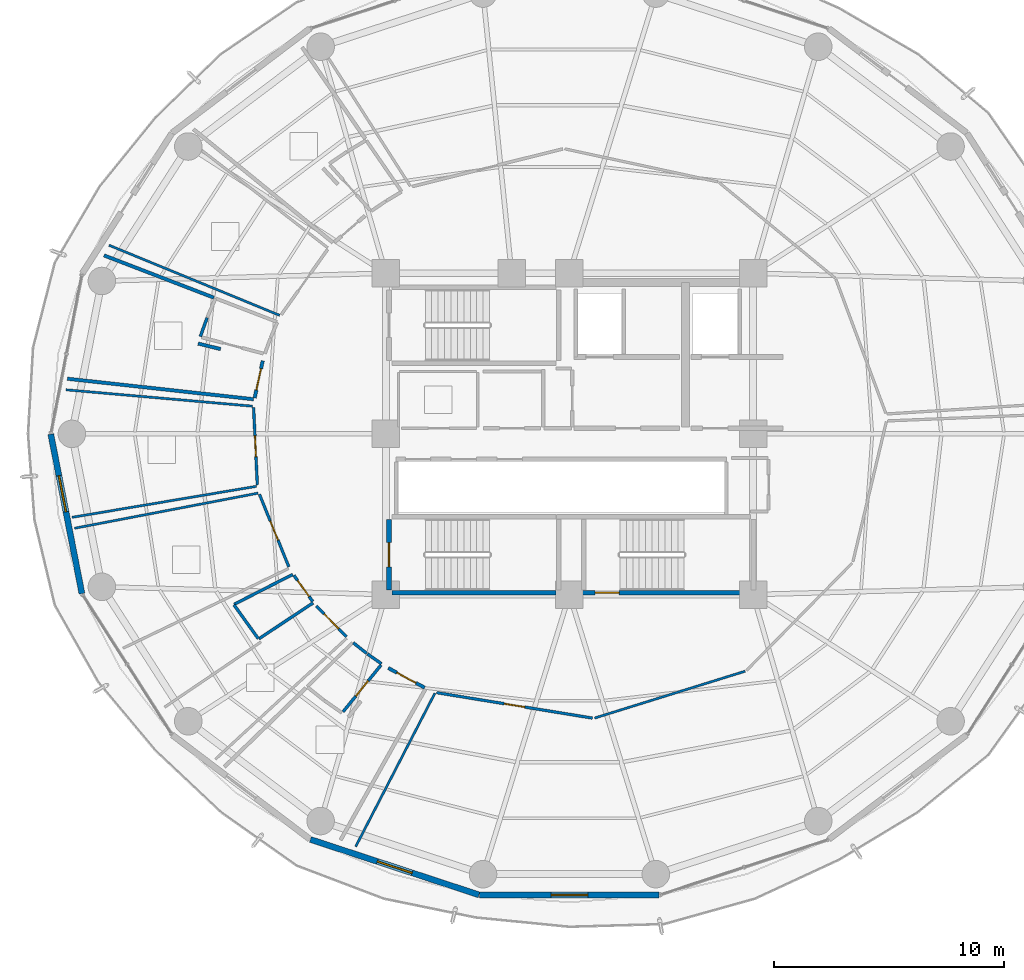
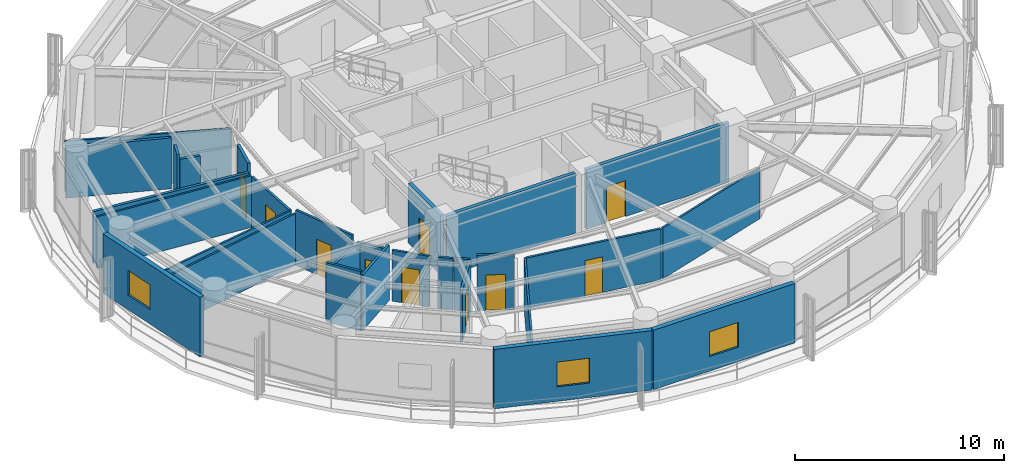
# One storey, part 21 of 27: 29 walls, 10 doors, 3 windows, 13 openings.
"""IFC4 building model written with IfcOpenShell, lengths in metres."""

from ifc_helpers import new_model, si_unit, direction, frame, frame_2d, origin, place, context, subcontext, project, spatial, rectangle, extrude, material, layer, layer_set, type_object, element, fill, save


model = new_model("IFC4")

# Units and contexts
model_context = context("Model", 3, precision=1e-05, world=origin(), true_north=direction((0.0, 1.0)))
body_context = subcontext(model_context, "Body", "Model", "MODEL_VIEW")
ifc_project = project(units=[si_unit("LENGTHUNIT", "METRE"), si_unit("AREAUNIT", "SQUARE_METRE"), si_unit("VOLUMEUNIT", "CUBIC_METRE"), si_unit("PLANEANGLEUNIT", "RADIAN"), si_unit("MASSUNIT", "GRAM", prefix="KILO")], contexts=[model_context])

# Site, building, storey
site_placement = place(None, origin())
site = spatial("IfcSite", under=ifc_project, at=site_placement, CompositionType="ELEMENT")
building_placement = place(site_placement, origin())
building = spatial("IfcBuilding", under=site, at=building_placement, Name="Kelanora Arch Commons", CompositionType="ELEMENT")
storey_placement = place(building_placement, frame((0.0, 0.0, 165.60009765625)))
storey = spatial("IfcBuildingStorey", under=building, at=storey_placement, Name="L42", CompositionType="ELEMENT", Elevation=165.60009765625)

# Wall, opening, door
ifc_material_1 = material(Name="Autoclaved aerated concrete blockwork with fire plaster", Category="masonry")
ifc_layer_1 = layer(ifc_material_1, 0.14990234375)
ifc_layer_set_1 = layer_set([ifc_layer_1], Name="Autoclaved aerated concrete blockwork with fire plaster")
wall_type_1 = type_object("IfcWallType", Name="W-COMP-150", PredefinedType="PARTITIONING", material=ifc_layer_set_1)
wall_1_placement = place(storey_placement, frame((60.63623046875, 61.186279296875, 0.0), z_axis=(0.0, 0.0, 1.0), x_axis=(-0.211879832264, -0.977295726318, 0.0)))
wall_1 = element("IfcWall", 1, at=wall_1_placement, inside=storey, type_object=wall_type_1, Name="Cluster Bedroom L42-03 Entry Partition", PredefinedType="PARTITIONING", context=body_context, shape_type="SweptSolid", body=[
    extrude(rectangle(XDim=1.6591796875, YDim=0.14990234375, at=frame_2d((0.82958984375, 0.0))), origin(), (0.0, 0.0, 1.0), 3.47998046875),
])
opening_1_placement = place(wall_1_placement, frame((0.35498046875, 0.0, 0.0)))
opening_1 = element("IfcOpeningElement", 2, at=opening_1_placement, cuts=wall_1, Name="Opening D-CLU1", PredefinedType="OPENING", context=body_context, shape_type="SweptSolid", body=[
    extrude(rectangle(XDim=0.949951171875, YDim=2.080078125, at=frame_2d((0.47509765625, 1.0400390625))), frame((0.0, 0.0849609375, 0.0), z_axis=(0.0, -1.0, 0.0), x_axis=(1.0, 0.0, 0.0)), (0.0, 0.0, 1.0), 0.169921875),
])
ifc_material_2 = material(Name="Solid-core acoustic timber cluster entry fire door", Category="wood")
door_type_1 = type_object("IfcDoorType", Name="D-CLU-95", OperationType="NOTDEFINED", PredefinedType="DOOR", material=ifc_material_2)
door_1_placement = place(opening_1_placement, origin())
door_1 = element("IfcDoor", 3, at=door_1_placement, inside=storey, type_object=door_type_1, Name="Cluster Bedroom L42-03 Door", OperationType="SINGLE_SWING_RIGHT", OverallHeight=2.080078125, OverallWidth=0.949951171875, PredefinedType="DOOR", context=body_context, shape_type="SweptSolid", body=[
    extrude(rectangle(XDim=0.949951171875, YDim=2.080078125, at=frame_2d((0.47509765625, 1.0400390625))), frame((0.0, 0.02490234375, 0.0), z_axis=(0.0, -1.0, 0.0), x_axis=(1.0, 0.0, 0.0)), (0.0, 0.0, 1.0), 0.050048828125),
])
fill(opening_1, door_1)

wall_2_placement = place(storey_placement, frame((66.105712890625, 47.798583984375, 0.0), z_axis=(0.0, 0.0, 1.0), x_axis=(0.880052757217, -0.474875925389, 0.0)))
wall_2 = element("IfcWall", 4, at=wall_2_placement, inside=storey, type_object=wall_type_1, Name="Cluster Bedroom L42-07 Entry Partition", PredefinedType="PARTITIONING", context=body_context, shape_type="SweptSolid", body=[
    extrude(rectangle(XDim=1.800537109375, YDim=0.14990234375, at=frame_2d((0.900390625, 0.0))), origin(), (0.0, 0.0, 1.0), 3.23486328125),
])
opening_2_placement = place(wall_2_placement, frame((0.425048828125, 0.0, 0.0)))
opening_2 = element("IfcOpeningElement", 5, at=opening_2_placement, cuts=wall_2, Name="Opening D-CLU1", PredefinedType="OPENING", context=body_context, shape_type="SweptSolid", body=[
    extrude(rectangle(XDim=0.949951171875, YDim=2.080078125, at=frame_2d((0.47509765625, 1.0400390625))), frame((0.0, 0.0849609375, 0.0), z_axis=(0.0, -1.0, 0.0), x_axis=(1.0, 0.0, 0.0)), (0.0, 0.0, 1.0), 0.169921875),
])
door_2_placement = place(opening_2_placement, origin())
door_2 = element("IfcDoor", 6, at=door_2_placement, inside=storey, type_object=door_type_1, Name="Cluster Bedroom L42-07 Door", OperationType="SINGLE_SWING_RIGHT", OverallHeight=2.080078125, OverallWidth=0.949951171875, PredefinedType="DOOR", context=body_context, shape_type="SweptSolid", body=[
    extrude(rectangle(XDim=0.949951171875, YDim=2.080078125, at=frame_2d((0.47509765625, 1.0400390625))), frame((0.0, 0.02490234375, 0.0), z_axis=(0.0, -1.0, 0.0), x_axis=(1.0, 0.0, 0.0)), (0.0, 0.0, 1.0), 0.050048828125),
])
fill(opening_2, door_2)

# Walls
wall_3_placement = place(storey_placement, frame((60.232177734375, 59.510498046875, 0.0), z_axis=(0.0, 0.0, 1.0), x_axis=(-0.993990557846, 0.109465843587, 0.0)))
element("IfcWall", 7, at=wall_3_placement, inside=storey, type_object=wall_type_1, Name="Cluster Bedroom L42-03 Enclosure Partition 2", PredefinedType="PARTITIONING", context=body_context, shape_type="SweptSolid", body=[
    extrude(rectangle(XDim=8.158447265625, YDim=0.14990234375, at=frame_2d((4.0791015625, 0.0))), origin(), (0.0, 0.0, 1.0), 3.02490234375),
])
wall_4_placement = place(storey_placement, frame((53.723388671875, 65.776611328125, 0.0), z_axis=(0.0, 0.0, 1.0), x_axis=(0.933303856141, -0.359087610636, 0.0)))
element("IfcWall", 8, at=wall_4_placement, inside=storey, type_object=wall_type_1, Name="Cluster Bedroom L42-03 Enclosure Partition 5", PredefinedType="PARTITIONING", context=body_context, shape_type="SweptSolid", body=[
    extrude(rectangle(XDim=5.125, YDim=0.14990234375, at=frame_2d((2.5625, 0.0))), origin(), (0.0, 0.0, 1.0), 2.974853515625),
])
wall_5_placement = place(storey_placement, frame((57.82080078125, 61.935546875, 0.0), z_axis=(0.0, 0.0, 1.0), x_axis=(0.971451046406, -0.237240098712, 0.0)))
element("IfcWall", 9, at=wall_5_placement, inside=storey, type_object=wall_type_1, Name="Cluster Bedroom L42-03 Enclosure Partition 7", PredefinedType="PARTITIONING", context=body_context, shape_type="SweptSolid", body=[
    extrude(rectangle(XDim=1.009521484375, YDim=0.14990234375, at=frame_2d((0.5048828125, 0.0))), origin(), (0.0, 0.0, 1.0), 3.1748046875),
])

# Wall, opening, window
ifc_material_3 = material(Name="Precast concrete C40/50 with terracotta rainscreen", Category="masonry")
ifc_layer_2 = layer(ifc_material_3, 0.260009765625)
ifc_layer_set_2 = layer_set([ifc_layer_2], Name="Precast concrete C40/50 with terracotta rainscreen")
wall_type_2 = type_object("IfcWallType", Name="W-EXT-TC", PredefinedType="SOLIDWALL", material=ifc_layer_set_2)
wall_6_placement = place(storey_placement, frame((51.40283203125, 57.9853515625, 0.0), z_axis=(0.0, 0.0, 1.0), x_axis=(0.191716984769, -0.981450252306, 0.0)))
wall_6 = element("IfcWall", 10, at=wall_6_placement, inside=storey, type_object=wall_type_2, Name="Terracotta Exterior Wall L42-B09", PredefinedType="SOLIDWALL", context=body_context, shape_type="SweptSolid", body=[
    extrude(rectangle(XDim=7.0791015625, YDim=0.260009765625, at=frame_2d((3.53955078125, 0.0))), origin(), (0.0, 0.0, 1.0), 3.474853515625),
])
opening_3_placement = place(wall_6_placement, frame((1.840087890625, 0.0, 0.85009765625)))
opening_3 = element("IfcOpeningElement", 11, at=opening_3_placement, cuts=wall_6, Name="Opening WN-01", PredefinedType="OPENING", context=body_context, shape_type="SweptSolid", body=[
    extrude(rectangle(XDim=1.60009765625, YDim=1.449951171875, at=frame_2d((0.800048828125, 0.72509765625))), frame((0.0, 0.14013671875, 0.0), z_axis=(0.0, -1.0, 0.0), x_axis=(1.0, 0.0, 0.0)), (0.0, 0.0, 1.0), 0.280029296875),
])
ifc_material_4 = material(Name="Terracotta-anodised aluminium frame with operable low-E glazing", Category="masonry")
window_type = type_object("IfcWindowType", Name="WIN-CL-18", PartitioningType="DOUBLE_PANEL_VERTICAL", PredefinedType="WINDOW", material=ifc_material_4)
window_1_placement = place(opening_3_placement, origin())
window_1 = element("IfcWindow", 12, at=window_1_placement, inside=storey, type_object=window_type, Name="Co-Living Operable Window L42-B09", OverallHeight=1.449951171875, OverallWidth=1.60009765625, PartitioningType="SINGLE_PANEL", PredefinedType="WINDOW", context=body_context, shape_type="SweptSolid", body=[
    extrude(rectangle(XDim=1.60009765625, YDim=1.449951171875, at=frame_2d((0.800048828125, 0.72509765625))), frame((0.0, 0.030029296875, 0.0), z_axis=(0.0, -1.0, 0.0), x_axis=(1.0, 0.0, 0.0)), (0.0, 0.0, 1.0), 0.06005859375),
])
fill(opening_3, window_1)

wall_7_placement = place(storey_placement, frame((62.71435546875, 40.328369140625, 0.0), z_axis=(0.0, 0.0, 1.0), x_axis=(0.950038302428, -0.312133343173, 0.0)))
wall_7 = element("IfcWall", 13, at=wall_7_placement, inside=storey, type_object=wall_type_2, Name="Terracotta Exterior Wall L42-B12", PredefinedType="SOLIDWALL", context=body_context, shape_type="SweptSolid", body=[
    extrude(rectangle(XDim=7.7333984375, YDim=0.260009765625, at=frame_2d((3.86669921875, 0.0))), origin(), (0.0, 0.0, 1.0), 3.474853515625),
])
opening_4_placement = place(wall_7_placement, frame((3.06689453125, 0.0, 0.85009765625)))
opening_4 = element("IfcOpeningElement", 14, at=opening_4_placement, cuts=wall_7, Name="Opening WN-01", PredefinedType="OPENING", context=body_context, shape_type="SweptSolid", body=[
    extrude(rectangle(XDim=1.60009765625, YDim=1.449951171875, at=frame_2d((0.800048828125, 0.72509765625))), frame((0.0, 0.14013671875, 0.0), z_axis=(0.0, -1.0, 0.0), x_axis=(1.0, 0.0, 0.0)), (0.0, 0.0, 1.0), 0.280029296875),
])
window_2_placement = place(opening_4_placement, origin())
window_2 = element("IfcWindow", 15, at=window_2_placement, inside=storey, type_object=window_type, Name="Co-Living Operable Window L42-B12", OverallHeight=1.449951171875, OverallWidth=1.60009765625, PartitioningType="SINGLE_PANEL", PredefinedType="WINDOW", context=body_context, shape_type="SweptSolid", body=[
    extrude(rectangle(XDim=1.60009765625, YDim=1.449951171875, at=frame_2d((0.800048828125, 0.72509765625))), frame((0.0, 0.030029296875, 0.0), z_axis=(0.0, -1.0, 0.0), x_axis=(1.0, 0.0, 0.0)), (0.0, 0.0, 1.0), 0.06005859375),
])
fill(opening_4, window_2)

wall_8_placement = place(storey_placement, frame((70.090576171875, 37.909912109375, 0.0), z_axis=(0.0, 0.0, 1.0), x_axis=(1.0, 0.0, 0.0)))
wall_8 = element("IfcWall", 16, at=wall_8_placement, inside=storey, type_object=wall_type_2, Name="Terracotta Exterior Wall L42-B13", PredefinedType="SOLIDWALL", context=body_context, shape_type="SweptSolid", body=[
    extrude(rectangle(XDim=7.81884765625, YDim=0.260009765625, at=frame_2d((3.909423828125, 0.0))), origin(), (0.0, 0.0, 1.0), 3.474853515625),
])
opening_5_placement = place(wall_8_placement, frame((3.10888671875, 0.0, 0.85009765625)))
opening_5 = element("IfcOpeningElement", 17, at=opening_5_placement, cuts=wall_8, Name="Opening WN-01", PredefinedType="OPENING", context=body_context, shape_type="SweptSolid", body=[
    extrude(rectangle(XDim=1.60009765625, YDim=1.449951171875, at=frame_2d((0.800048828125, 0.72509765625))), frame((0.0, 0.14013671875, 0.0), z_axis=(0.0, -1.0, 0.0), x_axis=(1.0, 0.0, 0.0)), (0.0, 0.0, 1.0), 0.280029296875),
])
window_3_placement = place(opening_5_placement, origin())
window_3 = element("IfcWindow", 18, at=window_3_placement, inside=storey, type_object=window_type, Name="Co-Living Operable Window L42-B13", OverallHeight=1.449951171875, OverallWidth=1.60009765625, PartitioningType="SINGLE_PANEL", PredefinedType="WINDOW", context=body_context, shape_type="SweptSolid", body=[
    extrude(rectangle(XDim=1.60009765625, YDim=1.449951171875, at=frame_2d((0.800048828125, 0.72509765625))), frame((0.0, 0.030029296875, 0.0), z_axis=(0.0, -1.0, 0.0), x_axis=(1.0, 0.0, 0.0)), (0.0, 0.0, 1.0), 0.06005859375),
])
fill(opening_5, window_3)

# Walls
ifc_material_5 = material(Name="Lightweight fire-rated acoustic stud partition")
ifc_layer_3 = layer(ifc_material_5, 0.10009765625)
ifc_layer_set_3 = layer_set([ifc_layer_3], Name="Lightweight fire-rated acoustic stud partition")
wall_type_3 = type_object("IfcWallType", Name="W-PART-100", PredefinedType="PARTITIONING", material=ifc_layer_set_3)
wall_9_placement = place(storey_placement, frame((75.09912109375, 45.618896484375, 0.0), z_axis=(0.0, 0.0, 1.0), x_axis=(0.95483862135, 0.297124901647, 0.0)))
element("IfcWall", 19, at=wall_9_placement, inside=storey, type_object=wall_type_3, Name="South-East Social Sky Lounge L42 Enclosure Partition 2", PredefinedType="PARTITIONING", context=body_context, shape_type="SweptSolid", body=[
    extrude(rectangle(XDim=6.86669921875, YDim=0.10009765625, at=frame_2d((3.433349609375, 0.0))), origin(), (0.0, 0.0, 1.0), 2.974853515625),
])
wall_10_placement = place(storey_placement, frame((64.6875, 40.0185546875, 0.0), z_axis=(0.0, 0.0, 1.0), x_axis=(0.458748787104, 0.888566007864, 0.0)))
element("IfcWall", 20, at=wall_10_placement, inside=storey, type_object=wall_type_3, Name="South-East Social Sky Lounge L42 Enclosure Partition 10", PredefinedType="PARTITIONING", context=body_context, shape_type="SweptSolid", body=[
    extrude(rectangle(XDim=7.518798828125, YDim=0.10009765625, at=frame_2d((3.75927734375, 0.0))), origin(), (0.0, 0.0, 1.0), 3.02490234375),
])
wall_11_placement = place(storey_placement, frame((61.375, 63.164306640625, 0.0), z_axis=(0.0, 0.0, 1.0), x_axis=(-0.924943940784, 0.380103546953, 0.0)))
element("IfcWall", 21, at=wall_11_placement, inside=storey, type_object=wall_type_3, Name="Shared Cluster Kitchen L42-02 Enclosure Partition 2", PredefinedType="PARTITIONING", context=body_context, shape_type="SweptSolid", body=[
    extrude(rectangle(XDim=8.038330078125, YDim=0.10009765625, at=frame_2d((4.01904296875, 0.0))), origin(), (0.0, 0.0, 1.0), 2.974853515625),
])
wall_12_placement = place(storey_placement, frame((60.364501953125, 55.71630859375, 0.0), z_axis=(0.0, 0.0, 1.0), x_axis=(-0.986127701838, -0.165988420279, 0.0)))
element("IfcWall", 22, at=wall_12_placement, inside=storey, type_object=wall_type_3, Name="Quiet Seminar Study Room L42-04 Enclosure Partition 2", PredefinedType="PARTITIONING", context=body_context, shape_type="SweptSolid", body=[
    extrude(rectangle(XDim=8.14404296875, YDim=0.10009765625, at=frame_2d((4.072021484375, 0.0))), origin(), (0.0, 0.0, 1.0), 3.02490234375),
])
wall_13_placement = place(storey_placement, frame((52.063720703125, 59.92138671875, 0.0), z_axis=(0.0, 0.0, 1.0), x_axis=(0.996168646625, -0.087453001553, 0.0)))
element("IfcWall", 23, at=wall_13_placement, inside=storey, type_object=wall_type_3, Name="Quiet Seminar Study Room L42-04 Enclosure Partition 4", PredefinedType="PARTITIONING", context=body_context, shape_type="SweptSolid", body=[
    extrude(rectangle(XDim=8.162841796875, YDim=0.10009765625, at=frame_2d((4.08154296875, 0.0))), origin(), (0.0, 0.0, 1.0), 3.02490234375),
])
wall_14_placement = place(storey_placement, frame((52.438232421875, 53.888427734375, 0.0), z_axis=(0.0, 0.0, 1.0), x_axis=(0.982187250003, 0.187904778897, 0.0)))
element("IfcWall", 24, at=wall_14_placement, inside=storey, type_object=wall_type_3, Name="Social Sky Lounge L42-05 Enclosure Partition 4", PredefinedType="PARTITIONING", context=body_context, shape_type="SweptSolid", body=[
    extrude(rectangle(XDim=8.137451171875, YDim=0.10009765625, at=frame_2d((4.06884765625, 0.0))), origin(), (0.0, 0.0, 1.0), 3.02490234375),
])

# Wall, opening, door
ifc_material_6 = material(Name="Acoustic twin-stud fire-rated gypsum partition")
ifc_layer_4 = layer(ifc_material_6, 0.1201171875)
ifc_layer_set_4 = layer_set([ifc_layer_4], Name="Acoustic twin-stud fire-rated gypsum partition")
wall_type_4 = type_object("IfcWallType", Name="W-PART-120", PredefinedType="PARTITIONING", material=ifc_layer_set_4)
wall_15_placement = place(storey_placement, frame((68.214111328125, 46.725341796875, 0.0), z_axis=(0.0, 0.0, 1.0), x_axis=(0.986922164317, -0.161197523493, 0.0)))
wall_15 = element("IfcWall", 25, at=wall_15_placement, inside=storey, type_object=wall_type_4, Name="South-East Social Sky Lounge L42 Entry Partition", PredefinedType="PARTITIONING", context=body_context, shape_type="SweptSolid", body=[
    extrude(rectangle(XDim=6.87744140625, YDim=0.1201171875, at=frame_2d((3.438720703125, 0.0))), origin(), (0.0, 0.0, 1.0), 2.974853515625),
])
opening_6_placement = place(wall_15_placement, frame((2.989013671875, 0.0, 0.0)))
opening_6 = element("IfcOpeningElement", 26, at=opening_6_placement, cuts=wall_15, Name="Opening D-RM1", PredefinedType="OPENING", context=body_context, shape_type="SweptSolid", body=[
    extrude(rectangle(XDim=0.89990234375, YDim=2.080078125, at=frame_2d((0.449951171875, 1.0400390625))), frame((0.0, 0.070068359375, 0.0), z_axis=(0.0, -1.0, 0.0), x_axis=(1.0, 0.0, 0.0)), (0.0, 0.0, 1.0), 0.14013671875),
])
ifc_material_7 = material(Name="Acoustic fire-rated timber study and lounge door", Category="wood")
door_type_2 = type_object("IfcDoorType", Name="D-ROOM-90", OperationType="NOTDEFINED", PredefinedType="DOOR", material=ifc_material_7)
door_3_placement = place(opening_6_placement, origin())
door_3 = element("IfcDoor", 27, at=door_3_placement, inside=storey, type_object=door_type_2, Name="South-East Social Sky Lounge L42 Door", OperationType="SINGLE_SWING_RIGHT", OverallHeight=2.080078125, OverallWidth=0.89990234375, PredefinedType="DOOR", context=body_context, shape_type="SweptSolid", body=[
    extrude(rectangle(XDim=0.89990234375, YDim=2.080078125, at=frame_2d((0.449951171875, 1.0400390625))), frame((0.0, 0.02490234375, 0.0), z_axis=(0.0, -1.0, 0.0), x_axis=(1.0, 0.0, 0.0)), (0.0, 0.0, 1.0), 0.050048828125),
])
fill(opening_6, door_3)

wall_16_placement = place(storey_placement, frame((60.23779296875, 59.14404296875, 0.0), z_axis=(0.0, 0.0, 1.0), x_axis=(0.048537190422, -0.998821375996, 0.0)))
wall_16 = element("IfcWall", 28, at=wall_16_placement, inside=storey, type_object=wall_type_4, Name="Quiet Seminar Study Room L42-04 Entry Partition", PredefinedType="PARTITIONING", context=body_context, shape_type="SweptSolid", body=[
    extrude(rectangle(XDim=3.364990234375, YDim=0.1201171875, at=frame_2d((1.6826171875, 0.0))), origin(), (0.0, 0.0, 1.0), 2.974853515625),
])
opening_7_placement = place(wall_16_placement, frame((1.23291015625, 0.0, 0.0)))
opening_7 = element("IfcOpeningElement", 29, at=opening_7_placement, cuts=wall_16, Name="Opening D-RM1", PredefinedType="OPENING", context=body_context, shape_type="SweptSolid", body=[
    extrude(rectangle(XDim=0.89990234375, YDim=2.080078125, at=frame_2d((0.449951171875, 1.0400390625))), frame((0.0, 0.070068359375, 0.0), z_axis=(0.0, -1.0, 0.0), x_axis=(1.0, 0.0, 0.0)), (0.0, 0.0, 1.0), 0.14013671875),
])
door_4_placement = place(opening_7_placement, origin())
door_4 = element("IfcDoor", 30, at=door_4_placement, inside=storey, type_object=door_type_2, Name="Quiet Seminar Study Room L42-04 Door", OperationType="SINGLE_SWING_LEFT", OverallHeight=2.080078125, OverallWidth=0.89990234375, PredefinedType="DOOR", context=body_context, shape_type="SweptSolid", body=[
    extrude(rectangle(XDim=0.89990234375, YDim=2.080078125, at=frame_2d((0.449951171875, 1.0400390625))), frame((0.0, 0.02490234375, 0.0), z_axis=(0.0, -1.0, 0.0), x_axis=(1.0, 0.0, 0.0)), (0.0, 0.0, 1.0), 0.050048828125),
])
fill(opening_7, door_4)

wall_17_placement = place(storey_placement, frame((60.492431640625, 55.369384765625, 0.0), z_axis=(0.0, 0.0, 1.0), x_axis=(0.3756420079, -0.926764847143, 0.0)))
wall_17 = element("IfcWall", 31, at=wall_17_placement, inside=storey, type_object=wall_type_4, Name="Social Sky Lounge L42-05 Entry Partition", PredefinedType="PARTITIONING", context=body_context, shape_type="SweptSolid", body=[
    extrude(rectangle(XDim=3.412841796875, YDim=0.1201171875, at=frame_2d((1.70654296875, 0.0))), origin(), (0.0, 0.0, 1.0), 3.23486328125),
])
opening_8_placement = place(wall_17_placement, frame((1.256103515625, 0.0, 0.0)))
opening_8 = element("IfcOpeningElement", 32, at=opening_8_placement, cuts=wall_17, Name="Opening D-RM1", PredefinedType="OPENING", context=body_context, shape_type="SweptSolid", body=[
    extrude(rectangle(XDim=0.89990234375, YDim=2.080078125, at=frame_2d((0.449951171875, 1.0400390625))), frame((0.0, 0.070068359375, 0.0), z_axis=(0.0, -1.0, 0.0), x_axis=(1.0, 0.0, 0.0)), (0.0, 0.0, 1.0), 0.14013671875),
])
door_5_placement = place(opening_8_placement, origin())
door_5 = element("IfcDoor", 33, at=door_5_placement, inside=storey, type_object=door_type_2, Name="Social Sky Lounge L42-05 Door", OperationType="SINGLE_SWING_RIGHT", OverallHeight=2.080078125, OverallWidth=0.89990234375, PredefinedType="DOOR", context=body_context, shape_type="SweptSolid", body=[
    extrude(rectangle(XDim=0.89990234375, YDim=2.080078125, at=frame_2d((0.449951171875, 1.0400390625))), frame((0.0, 0.02490234375, 0.0), z_axis=(0.0, -1.0, 0.0), x_axis=(1.0, 0.0, 0.0)), (0.0, 0.0, 1.0), 0.050048828125),
])
fill(opening_8, door_5)

wall_18_placement = place(storey_placement, frame((62.976806640625, 50.5, 0.0), z_axis=(0.0, 0.0, 1.0), x_axis=(0.69801962686, -0.71607862733, 0.0)))
wall_18 = element("IfcWall", 34, at=wall_18_placement, inside=storey, type_object=wall_type_4, Name="Tutorial Study Alcove L42-06 Entry Partition", PredefinedType="PARTITIONING", context=body_context, shape_type="SweptSolid", body=[
    extrude(rectangle(XDim=1.86572265625, YDim=0.1201171875, at=frame_2d((0.932861328125, 0.0))), origin(), (0.0, 0.0, 1.0), 2.974853515625),
])
opening_9_placement = place(wall_18_placement, frame((0.48291015625, 0.0, 0.0)))
opening_9 = element("IfcOpeningElement", 35, at=opening_9_placement, cuts=wall_18, Name="Opening D-RM1", PredefinedType="OPENING", context=body_context, shape_type="SweptSolid", body=[
    extrude(rectangle(XDim=0.89990234375, YDim=2.080078125, at=frame_2d((0.449951171875, 1.0400390625))), frame((0.0, 0.070068359375, 0.0), z_axis=(0.0, -1.0, 0.0), x_axis=(1.0, 0.0, 0.0)), (0.0, 0.0, 1.0), 0.14013671875),
])
door_6_placement = place(opening_9_placement, origin())
door_6 = element("IfcDoor", 36, at=door_6_placement, inside=storey, type_object=door_type_2, Name="Tutorial Study Alcove L42-06 Door", OperationType="SINGLE_SWING_RIGHT", OverallHeight=2.080078125, OverallWidth=0.89990234375, PredefinedType="DOOR", context=body_context, shape_type="SweptSolid", body=[
    extrude(rectangle(XDim=0.89990234375, YDim=2.080078125, at=frame_2d((0.449951171875, 1.0400390625))), frame((0.0, 0.02490234375, 0.0), z_axis=(0.0, -1.0, 0.0), x_axis=(1.0, 0.0, 0.0)), (0.0, 0.0, 1.0), 0.050048828125),
])
fill(opening_9, door_6)

ifc_material_8 = material(Name="Concrete C40/50", Category="concrete")
ifc_layer_5 = layer(ifc_material_8, 0.199951171875)
ifc_layer_set_5 = layer_set([ifc_layer_5], Name="Concrete C40/50")
wall_type_5 = type_object("IfcWallType", Name="W-STAIR-200", PredefinedType="SHEAR", material=ifc_layer_set_5)
wall_19_placement = place(storey_placement, frame((74.0, 51.080078125, 0.0), z_axis=(0.0, 0.0, 1.0), x_axis=(1.0, 0.0, 0.0)))
wall_19 = element("IfcWall", 37, at=wall_19_placement, inside=storey, type_object=wall_type_5, Name="Stair ST-T2 Shaft Wall S L42", PredefinedType="SHEAR", context=body_context, shape_type="SweptSolid", body=[
    extrude(rectangle(XDim=7.89990234375, YDim=0.199951171875, at=frame_2d((3.949951171875, 0.0))), origin(), (0.0, 0.0, 1.0), 3.489990234375),
])
opening_10_placement = place(wall_19_placement, frame((1.1201171875, 0.0, 0.0)))
opening_10 = element("IfcOpeningElement", 38, at=opening_10_placement, cuts=wall_19, Name="Opening D-ST1", PredefinedType="OPENING", context=body_context, shape_type="SweptSolid", body=[
    extrude(rectangle(XDim=1.050048828125, YDim=2.10009765625, at=frame_2d((0.52490234375, 1.050048828125))), frame((0.0, 0.10986328125, 0.0), z_axis=(0.0, -1.0, 0.0), x_axis=(1.0, 0.0, 0.0)), (0.0, 0.0, 1.0), 0.219970703125),
])
ifc_material_9 = material(Name="Steel fire-rated stairwell escape door", Category="steel")
door_type_3 = type_object("IfcDoorType", Name="D-STAIR-110", OperationType="NOTDEFINED", PredefinedType="DOOR", material=ifc_material_9)
door_7_placement = place(opening_10_placement, origin())
door_7 = element("IfcDoor", 39, at=door_7_placement, inside=storey, type_object=door_type_3, Name="Stair ST-T2 Escape Door L42", OperationType="SINGLE_SWING_LEFT", OverallHeight=2.10009765625, OverallWidth=1.050048828125, PredefinedType="DOOR", context=body_context, shape_type="SweptSolid", body=[
    extrude(rectangle(XDim=1.050048828125, YDim=2.10009765625, at=frame_2d((0.52490234375, 1.050048828125))), frame((0.0, 0.02490234375, 0.0), z_axis=(0.0, -1.0, 0.0), x_axis=(1.0, 0.0, 0.0)), (0.0, 0.0, 1.0), 0.050048828125),
])
fill(opening_10, door_7)

# Wall
wall_20_placement = place(storey_placement, frame((66.260009765625, 51.080078125, 0.0), z_axis=(0.0, 0.0, 1.0), x_axis=(1.0, 0.0, 0.0)))
element("IfcWall", 40, at=wall_20_placement, inside=storey, type_object=wall_type_5, Name="Stair ST-T3 Shaft Wall S L42", PredefinedType="SHEAR", context=body_context, shape_type="SweptSolid", body=[
    extrude(rectangle(XDim=7.159912109375, YDim=0.199951171875, at=frame_2d((3.580078125, 0.0))), origin(), (0.0, 0.0, 1.0), 3.489990234375),
])

# Wall, opening, door
wall_21_placement = place(storey_placement, frame((66.139892578125, 54.27001953125, 0.0), z_axis=(0.0, 0.0, 1.0), x_axis=(0.0, -1.0, 0.0)))
wall_21 = element("IfcWall", 41, at=wall_21_placement, inside=storey, type_object=wall_type_5, Name="Stair ST-T3 Shaft Wall W L42", PredefinedType="SHEAR", context=body_context, shape_type="SweptSolid", body=[
    extrude(rectangle(XDim=3.070068359375, YDim=0.199951171875, at=frame_2d((1.53515625, 0.0))), origin(), (0.0, 0.0, 1.0), 3.489990234375),
])
opening_11_placement = place(wall_21_placement, frame((1.010009765625, 0.0, 0.0)))
opening_11 = element("IfcOpeningElement", 42, at=opening_11_placement, cuts=wall_21, Name="Opening D-ST1", PredefinedType="OPENING", context=body_context, shape_type="SweptSolid", body=[
    extrude(rectangle(XDim=1.050048828125, YDim=2.10009765625, at=frame_2d((0.52490234375, 1.050048828125))), frame((0.0, 0.10986328125, 0.0), z_axis=(0.0, -1.0, 0.0), x_axis=(1.0, 0.0, 0.0)), (0.0, 0.0, 1.0), 0.219970703125),
])
door_8_placement = place(opening_11_placement, origin())
door_8 = element("IfcDoor", 43, at=door_8_placement, inside=storey, type_object=door_type_3, Name="Stair ST-T3 Escape Door L42", OperationType="SINGLE_SWING_LEFT", OverallHeight=2.10009765625, OverallWidth=1.050048828125, PredefinedType="DOOR", context=body_context, shape_type="SweptSolid", body=[
    extrude(rectangle(XDim=1.050048828125, YDim=2.10009765625, at=frame_2d((0.52490234375, 1.050048828125))), frame((0.0, 0.02490234375, 0.0), z_axis=(0.0, -1.0, 0.0), x_axis=(1.0, 0.0, 0.0)), (0.0, 0.0, 1.0), 0.050048828125),
])
fill(opening_11, door_8)

ifc_material_10 = material(Name="Moisture-resistant fire-rated cement-board plumbing wall")
ifc_layer_6 = layer(ifc_material_10, 0.1298828125)
ifc_layer_set_6 = layer_set([ifc_layer_6], Name="Moisture-resistant fire-rated cement-board plumbing wall")
wall_type_6 = type_object("IfcWallType", Name="W-WET-120", PredefinedType="PLUMBINGWALL", material=ifc_layer_set_6)
wall_22_placement = place(storey_placement, frame((61.9951171875, 51.836181640625, 0.0), z_axis=(0.0, 0.0, 1.0), x_axis=(0.583589438572, -0.81204886995, 0.0)))
wall_22 = element("IfcWall", 44, at=wall_22_placement, inside=storey, type_object=wall_type_6, Name="Accessible Shared Floor WC L42-06 Entry Partition", PredefinedType="PLUMBINGWALL", context=body_context, shape_type="SweptSolid", body=[
    extrude(rectangle(XDim=1.403076171875, YDim=0.1298828125, at=frame_2d((0.70166015625, 0.0))), origin(), (0.0, 0.0, 1.0), 2.974853515625),
])
opening_12_placement = place(wall_22_placement, frame((0.27197265625, 0.0, 0.0)))
opening_12 = element("IfcOpeningElement", 45, at=opening_12_placement, cuts=wall_22, Name="Opening D-BT1", PredefinedType="OPENING", context=body_context, shape_type="SweptSolid", body=[
    extrude(rectangle(XDim=0.860107421875, YDim=2.050048828125, at=frame_2d((0.43017578125, 1.02490234375))), frame((0.0, 0.074951171875, 0.0), z_axis=(0.0, -1.0, 0.0), x_axis=(1.0, 0.0, 0.0)), (0.0, 0.0, 1.0), 0.14990234375),
])
ifc_material_11 = material(Name="Moisture-sealed fire-rated accessible bathroom door")
door_type_4 = type_object("IfcDoorType", Name="D-BATH-85", OperationType="NOTDEFINED", PredefinedType="DOOR", material=ifc_material_11)
door_9_placement = place(opening_12_placement, origin())
door_9 = element("IfcDoor", 46, at=door_9_placement, inside=storey, type_object=door_type_4, Name="Accessible Shared Floor WC L42-06 Door", OperationType="SINGLE_SWING_LEFT", OverallHeight=2.050048828125, OverallWidth=0.860107421875, PredefinedType="DOOR", context=body_context, shape_type="SweptSolid", body=[
    extrude(rectangle(XDim=0.860107421875, YDim=2.050048828125, at=frame_2d((0.43017578125, 1.02490234375))), frame((0.0, 0.02490234375, 0.0), z_axis=(0.0, -1.0, 0.0), x_axis=(1.0, 0.0, 0.0)), (0.0, 0.0, 1.0), 0.050048828125),
])
fill(opening_12, door_9)

wall_23_placement = place(storey_placement, frame((65.789306640625, 47.926513671875, 0.0), z_axis=(0.0, 0.0, 1.0), x_axis=(-0.630358119741, -0.776304476914, 0.0)))
wall_23 = element("IfcWall", 47, at=wall_23_placement, inside=storey, type_object=wall_type_6, Name="En-Suite Shower WC L42-07 Entry Partition", PredefinedType="PLUMBINGWALL", context=body_context, shape_type="SweptSolid", body=[
    extrude(rectangle(XDim=2.626220703125, YDim=0.1298828125, at=frame_2d((1.31298828125, 0.0))), origin(), (0.0, 0.0, 1.0), 2.974853515625),
])
opening_13_placement = place(wall_23_placement, frame((0.883056640625, 0.0, 0.0)))
opening_13 = element("IfcOpeningElement", 48, at=opening_13_placement, cuts=wall_23, Name="Opening D-BT1", PredefinedType="OPENING", context=body_context, shape_type="SweptSolid", body=[
    extrude(rectangle(XDim=0.860107421875, YDim=2.050048828125, at=frame_2d((0.43017578125, 1.02490234375))), frame((0.0, 0.074951171875, 0.0), z_axis=(0.0, -1.0, 0.0), x_axis=(1.0, 0.0, 0.0)), (0.0, 0.0, 1.0), 0.14990234375),
])
door_10_placement = place(opening_13_placement, origin())
door_10 = element("IfcDoor", 49, at=door_10_placement, inside=storey, type_object=door_type_4, Name="En-Suite Shower WC L42-07 Door", OperationType="SINGLE_SWING_LEFT", OverallHeight=2.050048828125, OverallWidth=0.860107421875, PredefinedType="DOOR", context=body_context, shape_type="SweptSolid", body=[
    extrude(rectangle(XDim=0.860107421875, YDim=2.050048828125, at=frame_2d((0.43017578125, 1.02490234375))), frame((0.0, 0.02490234375, 0.0), z_axis=(0.0, -1.0, 0.0), x_axis=(1.0, 0.0, 0.0)), (0.0, 0.0, 1.0), 0.050048828125),
])
fill(opening_13, door_10)

# Walls
wall_24_placement = place(storey_placement, frame((57.918701171875, 62.243896484375, 0.0), z_axis=(0.0, 0.0, 1.0), x_axis=(0.339790338004, 0.9405012101, 0.0)))
element("IfcWall", 50, at=wall_24_placement, inside=storey, type_object=wall_type_6, Name="En-Suite Shower WC L42-03 Enclosure Partition 4", PredefinedType="PLUMBINGWALL", context=body_context, shape_type="SweptSolid", body=[
    extrude(rectangle(XDim=0.863525390625, YDim=0.1298828125, at=frame_2d((0.431640625, 0.0))), origin(), (0.0, 0.0, 1.0), 3.1748046875),
])
wall_25_placement = place(storey_placement, frame((62.832275390625, 50.636962890625, 0.0), z_axis=(0.0, 0.0, 1.0), x_axis=(-0.833743735775, -0.55215159427, 0.0)))
element("IfcWall", 51, at=wall_25_placement, inside=storey, type_object=wall_type_6, Name="Accessible Shared Floor WC L42-06 Enclosure Partition 2", PredefinedType="PLUMBINGWALL", context=body_context, shape_type="SweptSolid", body=[
    extrude(rectangle(XDim=2.83251953125, YDim=0.1298828125, at=frame_2d((1.416259765625, 0.0))), origin(), (0.0, 0.0, 1.0), 3.23486328125),
])
wall_26_placement = place(storey_placement, frame((60.4423828125, 49.078125, 0.0), z_axis=(0.0, 0.0, 1.0), x_axis=(-0.583480474688, 0.812127167172, 0.0)))
element("IfcWall", 52, at=wall_26_placement, inside=storey, type_object=wall_type_6, Name="Accessible Shared Floor WC L42-06 Enclosure Partition 3", PredefinedType="PLUMBINGWALL", context=body_context, shape_type="SweptSolid", body=[
    extrude(rectangle(XDim=1.81103515625, YDim=0.1298828125, at=frame_2d((0.905517578125, 0.0))), origin(), (0.0, 0.0, 1.0), 3.47998046875),
])
wall_27_placement = place(storey_placement, frame((59.391845703125, 50.57421875, 0.0), z_axis=(0.0, 0.0, 1.0), x_axis=(0.890678731245, 0.45463325627, 0.0)))
element("IfcWall", 53, at=wall_27_placement, inside=storey, type_object=wall_type_6, Name="Accessible Shared Floor WC L42-06 Enclosure Partition 4", PredefinedType="PLUMBINGWALL", context=body_context, shape_type="SweptSolid", body=[
    extrude(rectangle(XDim=2.86328125, YDim=0.1298828125, at=frame_2d((1.431640625, 0.0))), origin(), (0.0, 0.0, 1.0), 2.974853515625),
])
wall_28_placement = place(storey_placement, frame((64.580810546875, 48.898681640625, 0.0), z_axis=(0.0, 0.0, 1.0), x_axis=(0.785042223167, -0.619442255456, 0.0)))
element("IfcWall", 54, at=wall_28_placement, inside=storey, type_object=wall_type_6, Name="En-Suite Shower WC L42-07 Enclosure Partition 1", PredefinedType="PLUMBINGWALL", context=body_context, shape_type="SweptSolid", body=[
    extrude(rectangle(XDim=0.74462890625, YDim=0.1298828125, at=frame_2d((0.372314453125, 0.0))), origin(), (0.0, 0.0, 1.0), 2.974853515625),
])
wall_29_placement = place(storey_placement, frame((65.197509765625, 48.41357421875, 0.0), z_axis=(0.0, 0.0, 1.0), x_axis=(0.819339212877, -0.573309039038, 0.0)))
element("IfcWall", 55, at=wall_29_placement, inside=storey, type_object=wall_type_6, Name="En-Suite Shower WC L42-07 Enclosure Partition 2", PredefinedType="PLUMBINGWALL", context=body_context, shape_type="SweptSolid", body=[
    extrude(rectangle(XDim=0.748291015625, YDim=0.1298828125, at=frame_2d((0.3740234375, 0.0))), origin(), (0.0, 0.0, 1.0), 2.974853515625),
])

save(model, "model.ifc")
